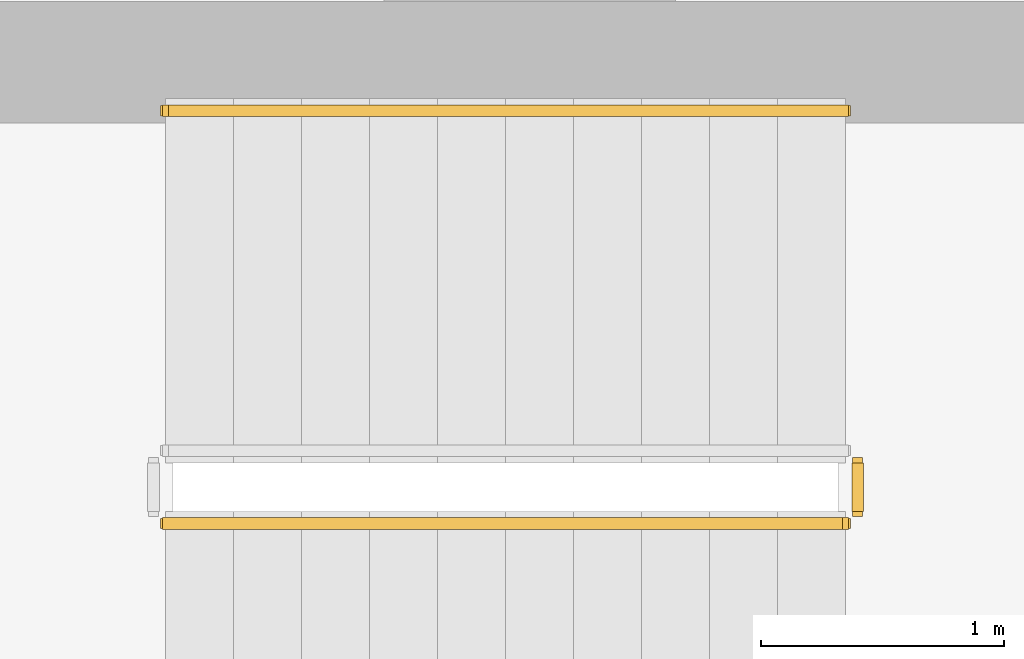
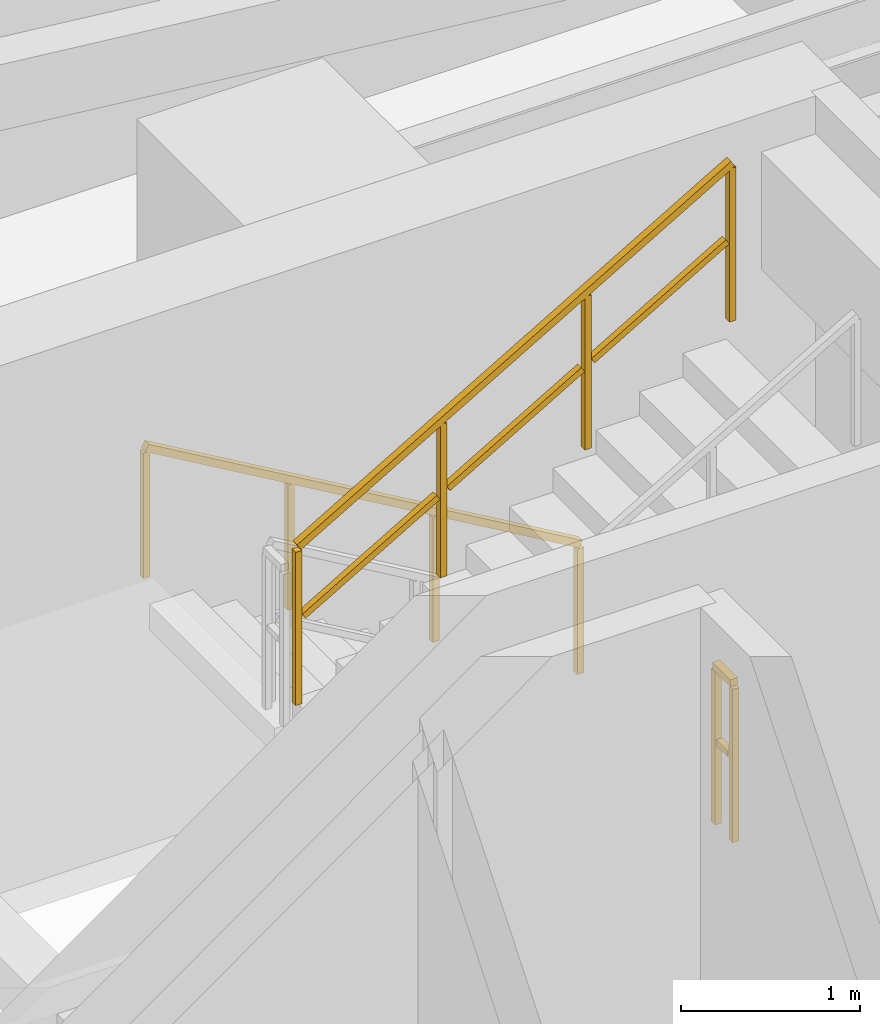
# One storey, part 28 of 31: 3 railings.
"""IFC4 building model written with IfcOpenShell, lengths in metres."""

from ifc_helpers import new_model, si_unit, direction, frame, origin, origin_2d, place, context, subcontext, project, spatial, rectangle, extrude, material, type_object, element, save


model = new_model("IFC4")

# Units and contexts
model_context = context("Model", 3, precision=1e-05, world=origin(), true_north=direction((0.0, 1.0)))
body_context = subcontext(model_context, "Body", "Model", "MODEL_VIEW")
ifc_project = project(units=[si_unit("LENGTHUNIT", "METRE"), si_unit("AREAUNIT", "SQUARE_METRE"), si_unit("VOLUMEUNIT", "CUBIC_METRE"), si_unit("PLANEANGLEUNIT", "RADIAN"), si_unit("MASSUNIT", "GRAM", prefix="KILO")], contexts=[model_context])

# Site, building, storey
site_placement = place(None, origin())
site = spatial("IfcSite", under=ifc_project, at=site_placement, CompositionType="ELEMENT")
building_placement = place(site_placement, origin())
building = spatial("IfcBuilding", under=site, at=building_placement, Name="Thornwick Lancets Civic Towers", CompositionType="ELEMENT")
storey_placement = place(building_placement, frame((0.0, 0.0, 119.699951171875)))
storey = spatial("IfcBuildingStorey", under=building, at=storey_placement, Name="L31", CompositionType="ELEMENT", Elevation=119.699951171875)

# Railings
ifc_material_1 = material(Name="Brushed stainless steel S355", Category="steel")
railing_type_1 = type_object("IfcRailingType", Name="RAIL_HANDRAIL", PredefinedType="HANDRAIL", material=ifc_material_1)
railing_1_placement = place(storey_placement, frame((31.60009765625, 38.949951171875, 0.16357421875)))
element("IfcRailing", 1, at=railing_1_placement, inside=storey, type_object=railing_type_1, Name="L31 ST-A2 stair handrail 1", PredefinedType="HANDRAIL", context=body_context, shape_type="SweptSolid", body=[
    extrude(rectangle(XDim=0.048095703125, YDim=0.048095703125, at=origin_2d()), frame((0.0, 0.0, 0.8857421875), z_axis=(-0.863360870873, 0.0, 0.504586966384), x_axis=(0.0, -1.0, 0.0)), (0.0, 0.0, 1.0), 3.2431640625),
    extrude(rectangle(XDim=0.0419921875, YDim=0.0419921875, at=origin_2d()), origin(), (0.0, 0.0, 1.0), 0.855712890625),
    extrude(rectangle(XDim=0.0419921875, YDim=0.0419921875, at=origin_2d()), frame((-0.933349609375, 0.0, 0.54541015625)), (0.0, 0.0, 1.0), 0.855712890625),
    extrude(rectangle(XDim=0.0419921875, YDim=0.0419921875, at=origin_2d()), frame((-1.86669921875, 0.0, 1.091064453125)), (0.0, 0.0, 1.0), 0.855712890625),
    extrude(rectangle(XDim=0.0419921875, YDim=0.0419921875, at=origin_2d()), frame((-2.800048828125, 0.0, 1.636474609375)), (0.0, 0.0, 1.0), 0.855712890625),
])
ifc_material_2 = material(Name="Steel S355JR", Category="steel")
railing_type_2 = type_object("IfcRailingType", Name="RAIL_STAIR_GUARD", PredefinedType="GUARDRAIL", material=ifc_material_2)
railing_2_placement = place(storey_placement, frame((28.800048828125, 37.25, 1.963623046875)))
element("IfcRailing", 2, at=railing_2_placement, inside=storey, type_object=railing_type_2, Name="L31 ST-A2 stair guard 3", PredefinedType="GUARDRAIL", context=body_context, shape_type="SweptSolid", body=[
    extrude(rectangle(XDim=0.048095703125, YDim=0.048095703125, at=origin_2d()), frame((0.0, 0.0, 1.076171875), z_axis=(0.863360870873, 0.0, 0.504586966384), x_axis=(0.0, 1.0, 0.0)), (0.0, 0.0, 1.0), 3.2431640625),
    extrude(rectangle(XDim=0.0419921875, YDim=0.0419921875, at=origin_2d()), frame((0.032470703125, 0.0, 0.591064453125), z_axis=(0.863360870873, 0.0, 0.504586966384), x_axis=(0.0, 1.0, 0.0)), (0.0, 0.0, 1.0), 1.006103515625),
    extrude(rectangle(XDim=0.0419921875, YDim=0.0419921875, at=origin_2d()), frame((0.9658203125, 0.0, 1.136474609375), z_axis=(0.863360870873, 0.0, 0.504586966384), x_axis=(0.0, 1.0, 0.0)), (0.0, 0.0, 1.0), 1.006103515625),
    extrude(rectangle(XDim=0.0419921875, YDim=0.0419921875, at=origin_2d()), frame((1.899169921875, 0.0, 1.681884765625), z_axis=(0.863360870873, 0.0, 0.504586966384), x_axis=(0.0, 1.0, 0.0)), (0.0, 0.0, 1.0), 1.006103515625),
    extrude(rectangle(XDim=0.0419921875, YDim=0.0419921875, at=origin_2d()), origin(), (0.0, 0.0, 1.0), 1.0458984375),
    extrude(rectangle(XDim=0.0419921875, YDim=0.0419921875, at=origin_2d()), frame((0.933349609375, 0.0, 0.54541015625)), (0.0, 0.0, 1.0), 1.0458984375),
    extrude(rectangle(XDim=0.0419921875, YDim=0.0419921875, at=origin_2d()), frame((1.86669921875, 0.0, 1.091064453125)), (0.0, 0.0, 1.0), 1.0458984375),
    extrude(rectangle(XDim=0.0419921875, YDim=0.0419921875, at=origin_2d()), frame((2.800048828125, 0.0, 1.636474609375)), (0.0, 0.0, 1.0), 1.0458984375),
])
railing_3_placement = place(storey_placement, frame((31.64990234375, 37.5, 0.0)))
element("IfcRailing", 3, at=railing_3_placement, inside=storey, type_object=railing_type_2, Name="L31 ST-A2 stair guard 4", PredefinedType="GUARDRAIL", context=body_context, shape_type="SweptSolid", body=[
    extrude(rectangle(XDim=0.048095703125, YDim=0.048095703125, at=origin_2d()), frame((0.0, 0.0, 1.076171875), z_axis=(0.0, -1.0, 0.0), x_axis=(1.0, 0.0, 0.0)), (0.0, 0.0, 1.0), 0.199951171875),
    extrude(rectangle(XDim=0.0419921875, YDim=0.0419921875, at=origin_2d()), frame((0.0, -0.03759765625, 0.572021484375), z_axis=(0.0, -1.0, 0.0), x_axis=(1.0, 0.0, 0.0)), (0.0, 0.0, 1.0), 0.125),
    extrude(rectangle(XDim=0.0419921875, YDim=0.0419921875, at=origin_2d()), origin(), (0.0, 0.0, 1.0), 1.0458984375),
    extrude(rectangle(XDim=0.0419921875, YDim=0.0419921875, at=origin_2d()), frame((0.0, -0.199951171875, 0.0)), (0.0, 0.0, 1.0), 1.0458984375),
])

save(model, "model.ifc")
